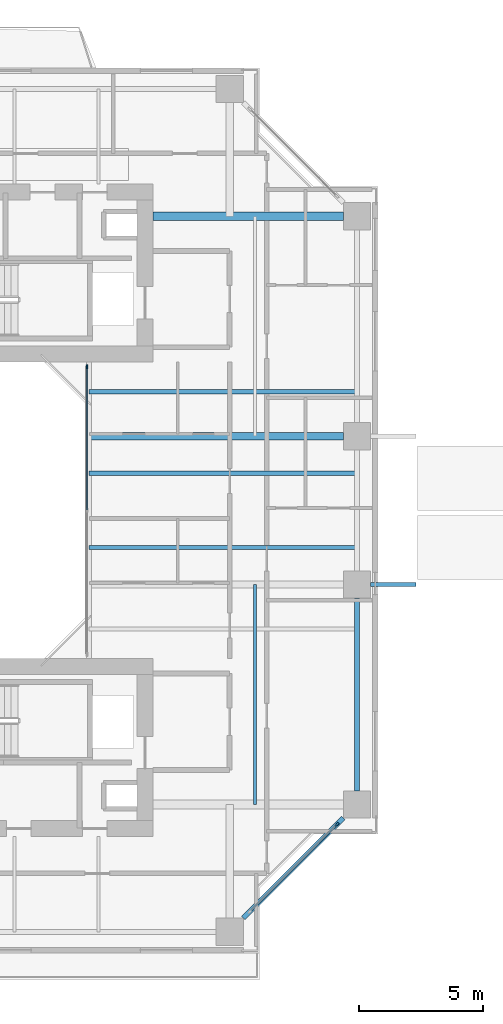
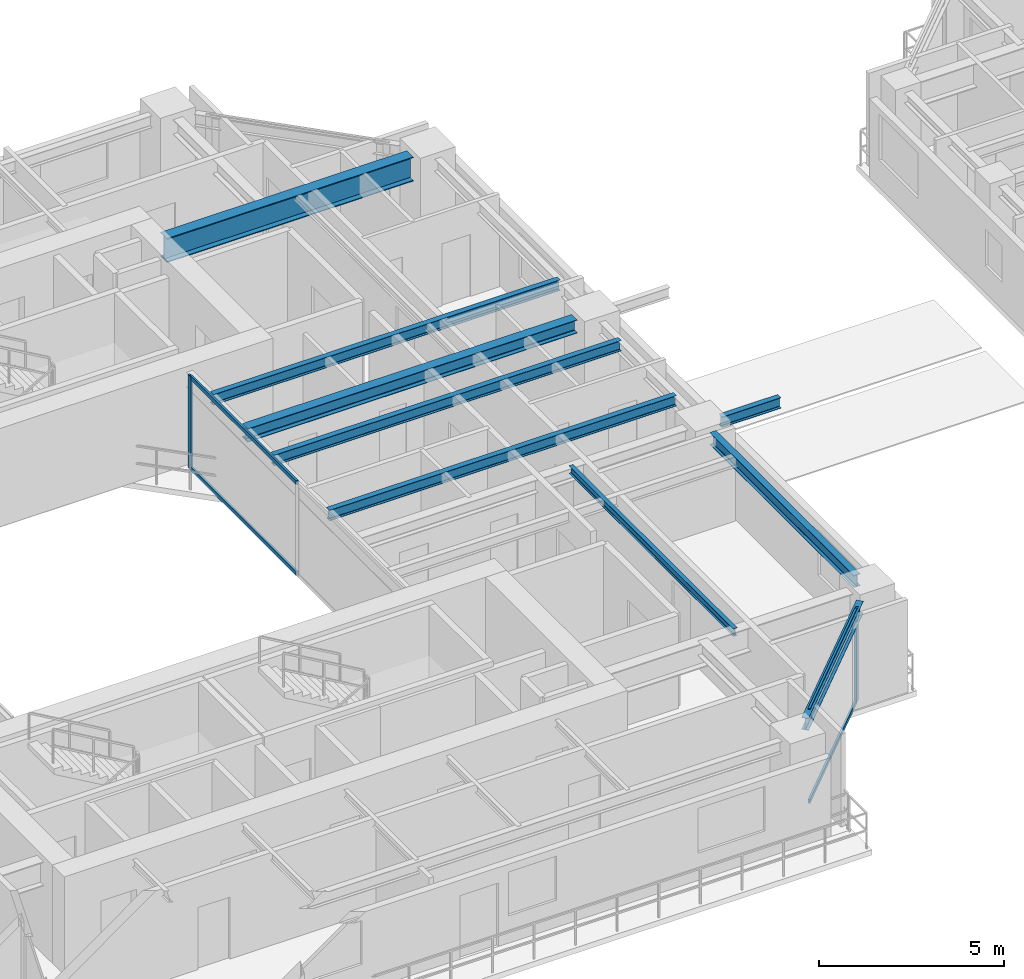
# One storey, part 6 of 23: 9 beams, 6 members, 2 elements without a shape of their own.
"""IFC4 building model written with IfcOpenShell, lengths in metres."""

from ifc_helpers import new_model, si_unit, direction, frame, origin, origin_2d, place, context, subcontext, project, spatial, rectangle, i_section, extrude, source, transform, mapped, material, layer, layer_set, material_profile, profile_set, type_object, element, aggregate, save


model = new_model("IFC4")

# Units and contexts
model_context = context("Model", 3, precision=1e-05, world=origin(), true_north=direction((0.0, 1.0)))
body_context = subcontext(model_context, "Body", "Model", "MODEL_VIEW")
ifc_project = project(units=[si_unit("LENGTHUNIT", "METRE"), si_unit("AREAUNIT", "SQUARE_METRE"), si_unit("VOLUMEUNIT", "CUBIC_METRE"), si_unit("PLANEANGLEUNIT", "RADIAN"), si_unit("MASSUNIT", "GRAM", prefix="KILO"), si_unit("THERMODYNAMICTEMPERATUREUNIT", "KELVIN"), si_unit("POWERUNIT", "WATT")], contexts=[model_context])

# Site, building, storey
site_placement = place(None, origin())
site = spatial("IfcSite", under=ifc_project, at=site_placement, CompositionType="ELEMENT")
building_placement = place(site_placement, origin())
building = spatial("IfcBuilding", under=site, at=building_placement, Name="Qiaomeng Ring Towers", CompositionType="ELEMENT")
storey_placement = place(building_placement, frame((0.0, 0.0, 97.0)))
storey = spatial("IfcBuildingStorey", under=building, at=storey_placement, Name="L27", CompositionType="ELEMENT", Elevation=97.0)

# Beams
ifc_material_1 = material(Name="Steel Q355B", Category="steel")
ifc_material_profile_1 = material_profile(ifc_material_1, i_section(OverallWidth=0.199951171875, OverallDepth=0.39990234375, WebThickness=0.008056640625, FlangeThickness=0.012939453125, FilletRadius=0.01611328125, at=origin_2d()), Name="HN 400x200x8x13")
ifc_profile_set_1 = profile_set([ifc_material_profile_1], Name="Steel Q355B")
beam_type_1 = type_object("IfcBeamType", Name="STR-BM-HN400", PredefinedType="SPANDREL", material=ifc_profile_set_1)
shared_shape_1 = source(origin(), body_context, "Body", "SweptSolid", [
    extrude(i_section(OverallWidth=0.199951171875, OverallDepth=0.39990234375, WebThickness=0.008056640625, FlangeThickness=0.012939453125, FilletRadius=0.01611328125, at=origin_2d()), origin(), (0.0, 0.0, 1.0), 5.729736328125),
])
beam_1_placement = place(storey_placement, frame((31.44921875, 6.499267578125, 2.8701171875), z_axis=(0.707106781187, 0.707106781187, 0.0), x_axis=(-0.707106781187, 0.707106781187, 0.0)))
element("IfcBeam", 1, at=beam_1_placement, inside=storey, type_object=beam_type_1, Name="L27 beam STR-SP-L27-T1-S2-E1", PredefinedType="SPANDREL", context=body_context, shape_type="MappedRepresentation", body=[
    mapped(shared_shape_1, transform((0.0, 0.0, 0.0), x_axis=(1.0, 0.0, 0.0), y_axis=(0.0, 1.0, 0.0), z_axis=(0.0, 0.0, 1.0), scale=1.0)),
])
shared_shape_2 = source(origin(), body_context, "Body", "SweptSolid", [
    extrude(i_section(OverallWidth=0.199951171875, OverallDepth=0.39990234375, WebThickness=0.008056640625, FlangeThickness=0.012939453125, FilletRadius=0.01611328125, at=origin_2d()), origin(), (0.0, 0.0, 1.0), 7.802001953125),
])
beam_2_placement = place(storey_placement, frame((36.050048828125, 11.64892578125, 2.8701171875), z_axis=(0.0, 1.0, 0.0), x_axis=(-1.0, 0.0, 0.0)))
element("IfcBeam", 2, at=beam_2_placement, inside=storey, type_object=beam_type_1, Name="L27 beam STR-SP-L27-T1-E1-E2", PredefinedType="SPANDREL", context=body_context, shape_type="MappedRepresentation", body=[
    mapped(shared_shape_2, transform((0.0, 0.0, 0.0), x_axis=(1.0, 0.0, 0.0), y_axis=(0.0, 1.0, 0.0), z_axis=(0.0, 0.0, 1.0), scale=1.0)),
])
ifc_material_2 = material(Name="Steel Q390GJC", Category="steel")
ifc_material_profile_2 = material_profile(ifc_material_2, i_section(OverallWidth=0.35009765625, OverallDepth=0.800048828125, WebThickness=0.01611328125, FlangeThickness=0.028076171875, at=origin_2d()), Name="WH 800x350x16x28")
ifc_profile_set_2 = profile_set([ifc_material_profile_2], Name="Steel Q390GJC")
beam_type_2 = type_object("IfcBeamType", Name="STR-BM-WH800", PredefinedType="BEAM", material=ifc_profile_set_2)
shared_shape_3 = source(origin(), body_context, "Body", "SweptSolid", [
    extrude(i_section(OverallWidth=0.35009765625, OverallDepth=0.800048828125, WebThickness=0.01611328125, FlangeThickness=0.028076171875, at=origin_2d()), origin(), (0.0, 0.0, 1.0), 7.700927734375),
])
beam_3_placement = place(storey_placement, frame((27.800048828125, 34.89990234375, 2.669921875), z_axis=(1.0, 0.0, 0.0), x_axis=(0.0, 1.0, 0.0)))
element("IfcBeam", 3, at=beam_3_placement, inside=storey, type_object=beam_type_2, Name="L27 beam STR-BM-L27-T1-RAD-E4", PredefinedType="BEAM", context=body_context, shape_type="MappedRepresentation", body=[
    mapped(shared_shape_3, transform((0.0, 0.0, 0.0), x_axis=(1.0, 0.0, 0.0), y_axis=(0.0, 1.0, 0.0), z_axis=(0.0, 0.0, 1.0), scale=1.0)),
])
ifc_material_profile_3 = material_profile(ifc_material_1, i_section(OverallWidth=0.300048828125, OverallDepth=0.43994140625, WebThickness=0.010986328125, FlangeThickness=0.01806640625, FilletRadius=0.02392578125, at=origin_2d()), Name="HM 440x300x11x18")
ifc_profile_set_3 = profile_set([ifc_material_profile_3], Name="Steel Q355B")
beam_type_3 = type_object("IfcBeamType", Name="STR-BM-HM440", PredefinedType="BEAM", material=ifc_profile_set_3)
shared_shape_4 = source(origin(), body_context, "Body", "SweptSolid", [
    extrude(i_section(OverallWidth=0.300048828125, OverallDepth=0.43994140625, WebThickness=0.010986328125, FlangeThickness=0.01806640625, FilletRadius=0.02392578125, at=origin_2d()), origin(), (0.0, 0.0, 1.0), 10.301025390625),
])
beam_4_placement = place(storey_placement, frame((25.199951171875, 26.0, 2.85009765625), z_axis=(1.0, 0.0, 0.0), x_axis=(0.0, 1.0, 0.0)))
element("IfcBeam", 4, at=beam_4_placement, inside=storey, type_object=beam_type_3, Name="L27 beam STR-BM-L27-T1-RAD-E3", PredefinedType="BEAM", context=body_context, shape_type="MappedRepresentation", body=[
    mapped(shared_shape_4, transform((0.0, 0.0, 0.0), x_axis=(1.0, 0.0, 0.0), y_axis=(0.0, 1.0, 0.0), z_axis=(0.0, 0.0, 1.0), scale=1.0)),
])
ifc_material_profile_4 = material_profile(ifc_material_1, i_section(OverallWidth=0.175048828125, OverallDepth=0.35009765625, WebThickness=0.007080078125, FlangeThickness=0.010986328125, FilletRadius=0.013916015625, at=origin_2d()), Name="HN 350x175x7x11")
ifc_profile_set_4 = profile_set([ifc_material_profile_4], Name="Steel Q355B")
beam_type_4 = type_object("IfcBeamType", Name="STR-BM-HN350", PredefinedType="JOIST", material=ifc_profile_set_4)
shared_shape_5 = source(origin(), body_context, "Body", "SweptSolid", [
    extrude(i_section(OverallWidth=0.175048828125, OverallDepth=0.35009765625, WebThickness=0.007080078125, FlangeThickness=0.010986328125, FilletRadius=0.013916015625, at=origin_2d()), origin(), (0.0, 0.0, 1.0), 10.85009765625),
])
for number, where, z_axis, x_axis, name in (
    (5, (25.199951171875, 21.5, 2.89501953125), (1.0, 0.0, 0.0), (0.0, 1.0, 0.0), "L27 beam STR-JST-L27-T1E-2"),
    (6, (25.199951171875, 24.5, 2.89501953125), (1.0, 0.0, 0.0), (0.0, 1.0, 0.0), "L27 beam STR-JST-L27-T1E-3"),
    (7, (25.199951171875, 27.800048828125, 2.89501953125), (1.0, 0.0, 0.0), (0.0, 1.0, 0.0), "L27 beam STR-JST-L27-T1E-4"),
):
    element("IfcBeam", number, at=place(storey_placement, frame(where, z_axis=z_axis, x_axis=x_axis)), inside=storey, type_object=beam_type_4, Name=name, PredefinedType="JOIST", context=body_context, shape_type="MappedRepresentation", body=[
        mapped(shared_shape_5, transform((0.0, 0.0, 0.0), x_axis=(1.0, 0.0, 0.0), y_axis=(0.0, 1.0, 0.0), z_axis=(0.0, 0.0, 1.0), scale=1.0)),
    ])
ifc_material_profile_5 = material_profile(ifc_material_1, i_section(OverallWidth=0.125, OverallDepth=0.25, WebThickness=0.006103515625, FlangeThickness=0.009033203125, FilletRadius=0.011962890625, at=origin_2d()), Name="HN 250x125x6x9")
ifc_profile_set_5 = profile_set([ifc_material_profile_5], Name="Steel Q355B")
beam_type_5 = type_object("IfcBeamType", Name="STR-BM-HN250", PredefinedType="JOIST", material=ifc_profile_set_5)
shared_shape_6 = source(origin(), body_context, "Body", "SweptSolid", [
    extrude(i_section(OverallWidth=0.125, OverallDepth=0.25, WebThickness=0.006103515625, FlangeThickness=0.009033203125, FilletRadius=0.011962890625, at=origin_2d()), origin(), (0.0, 0.0, 1.0), 8.89990234375),
])
beam_5_placement = place(storey_placement, frame((31.925048828125, 11.10009765625, 2.945068359375), z_axis=(0.0, 1.0, 0.0), x_axis=(-1.0, 0.0, 0.0)))
element("IfcBeam", 8, at=beam_5_placement, inside=storey, type_object=beam_type_5, Name="L27 beam STR-JST-L27-T1C-ES", PredefinedType="JOIST", context=body_context, shape_type="MappedRepresentation", body=[
    mapped(shared_shape_6, transform((0.0, 0.0, 0.0), x_axis=(1.0, 0.0, 0.0), y_axis=(0.0, 1.0, 0.0), z_axis=(0.0, 0.0, 1.0), scale=1.0)),
])
shared_shape_7 = source(origin(), body_context, "Body", "SweptSolid", [
    extrude(i_section(OverallWidth=0.175048828125, OverallDepth=0.35009765625, WebThickness=0.007080078125, FlangeThickness=0.010986328125, FilletRadius=0.013916015625, at=origin_2d()), origin(), (0.0, 0.0, 1.0), 1.8408203125),
])
beam_6_placement = place(storey_placement, frame((36.59912109375, 20.0, 2.89501953125), z_axis=(1.0, 0.0, 0.0), x_axis=(0.0, 1.0, 0.0)))
element("IfcBeam", 9, at=beam_6_placement, inside=storey, type_object=beam_type_4, Name="L27 beam STR-BALBM-L27-E2", PredefinedType="JOIST", context=body_context, shape_type="MappedRepresentation", body=[
    mapped(shared_shape_7, transform((0.0, 0.0, 0.0), x_axis=(1.0, 0.0, 0.0), y_axis=(0.0, 1.0, 0.0), z_axis=(0.0, 0.0, 1.0), scale=1.0)),
])

# Curtain wall, members
ifc_material_3 = material(Name="Fluorocarbon dark-grey aluminium", Category="aluminium")
ifc_layer_1 = layer(ifc_material_3, 0.139892578125, Name="Fluorocarbon dark-grey aluminium")
ifc_layer_set_1 = layer_set([ifc_layer_1], Name="Fluorocarbon dark-grey aluminium")
curtain_wall_type_1 = type_object("IfcCurtainWallType", Name="ARC-CW-4", PredefinedType="NOTDEFINED", material=ifc_layer_set_1)
curtain_wall_1_placement = place(storey_placement, origin())
curtain_wall_1 = element("IfcCurtainWall", 10, at=curtain_wall_1_placement, inside=storey, type_object=curtain_wall_type_1, Name="L27 Curtain Wall CW4", PredefinedType="NOTDEFINED")
ifc_material_profile_6 = material_profile(ifc_material_3, rectangle(XDim=0.06494140625, YDim=0.159912109375, at=origin_2d()), Name="ALU MULL 65x160")
ifc_profile_set_6 = profile_set([ifc_material_profile_6], Name="Fluorocarbon dark-grey aluminium")
member_type_1 = type_object("IfcMemberType", Name="ARC-CWM-140", PredefinedType="MULLION", material=ifc_profile_set_6)
shared_shape_8 = source(origin(), body_context, "Body", "SweptSolid", [
    extrude(rectangle(XDim=0.06494140625, YDim=0.159912109375, at=origin_2d()), origin(), (0.0, 0.0, 1.0), 3.070068359375),
])
member_1_placement = place(storey_placement, frame((25.1201171875, 28.8173828125, 0.0), z_axis=(0.0, 0.0, 1.0), x_axis=(-1.0, 0.0, 0.0)))
member_1 = element("IfcMember", 11, at=member_1_placement, type_object=member_type_1, Name="CW4 mullion 3", PredefinedType="MULLION", context=body_context, shape_type="MappedRepresentation", body=[
    mapped(shared_shape_8, transform((0.0, 0.0, 0.0), x_axis=(1.0, 0.0, 0.0), y_axis=(0.0, 1.0, 0.0), z_axis=(0.0, 0.0, 1.0), scale=1.0)),
])
ifc_material_profile_7 = material_profile(ifc_material_3, rectangle(XDim=0.06494140625, YDim=0.1298828125, at=origin_2d()), Name="ALU TRAN 65x130")
ifc_profile_set_7 = profile_set([ifc_material_profile_7], Name="Fluorocarbon dark-grey aluminium")
member_type_2 = type_object("IfcMemberType", Name="ARC-CWT-120", PredefinedType="USERDEFINED", material=ifc_profile_set_7)
shared_shape_9 = source(origin(), body_context, "Body", "SweptSolid", [
    extrude(rectangle(XDim=0.06494140625, YDim=0.1298828125, at=origin_2d()), origin(), (0.0, 0.0, 1.0), 5.75244140625),
])
member_2_placement = place(storey_placement, frame((25.1201171875, 23.032470703125, 0.032470703125), z_axis=(0.0, 1.0, 0.0), x_axis=(-1.0, 0.0, 0.0)))
member_2 = element("IfcMember", 12, at=member_2_placement, type_object=member_type_2, Name="CW4 transom 2.1", ObjectType="TRANSOM", PredefinedType="USERDEFINED", context=body_context, shape_type="MappedRepresentation", body=[
    mapped(shared_shape_9, transform((0.0, 0.0, 0.0), x_axis=(1.0, 0.0, 0.0), y_axis=(0.0, 1.0, 0.0), z_axis=(0.0, 0.0, 1.0), scale=1.0)),
])
member_3_placement = place(storey_placement, frame((25.1201171875, 23.032470703125, 3.03759765625), z_axis=(0.0, 1.0, 0.0), x_axis=(-1.0, 0.0, 0.0)))
member_3 = element("IfcMember", 13, at=member_3_placement, type_object=member_type_2, Name="CW4 transom 2.2", ObjectType="TRANSOM", PredefinedType="USERDEFINED", context=body_context, shape_type="MappedRepresentation", body=[
    mapped(shared_shape_9, transform((0.0, 0.0, 0.0), x_axis=(1.0, 0.0, 0.0), y_axis=(0.0, 1.0, 0.0), z_axis=(0.0, 0.0, 1.0), scale=1.0)),
])
aggregate(curtain_wall_1, [member_1, member_2, member_3])

ifc_layer_2 = layer(ifc_material_3, 0.14990234375, Name="Fluorocarbon dark-grey aluminium")
ifc_layer_set_2 = layer_set([ifc_layer_2], Name="Fluorocarbon dark-grey aluminium")
curtain_wall_type_2 = type_object("IfcCurtainWallType", Name="ARC-CW-3", PredefinedType="NOTDEFINED", material=ifc_layer_set_2)
curtain_wall_2_placement = place(storey_placement, origin())
curtain_wall_2 = element("IfcCurtainWall", 14, at=curtain_wall_2_placement, inside=storey, type_object=curtain_wall_type_2, Name="L27 Curtain Wall CW3", PredefinedType="NOTDEFINED")
ifc_material_profile_8 = material_profile(ifc_material_3, rectangle(XDim=0.070068359375, YDim=0.179931640625, at=origin_2d()), Name="ALU MULL 70x180")
ifc_profile_set_8 = profile_set([ifc_material_profile_8], Name="Fluorocarbon dark-grey aluminium")
member_type_3 = type_object("IfcMemberType", Name="ARC-CWM-160", PredefinedType="MULLION", material=ifc_profile_set_8)
shared_shape_10 = source(origin(), body_context, "Body", "SweptSolid", [
    extrude(rectangle(XDim=0.070068359375, YDim=0.179931640625, at=origin_2d()), origin(), (0.0, 0.0, 1.0), 3.070068359375),
])
member_4_placement = place(storey_placement, frame((35.2353515625, 10.28515625, 0.0), z_axis=(0.0, 0.0, 1.0), x_axis=(-0.707106781187, 0.707106781187, 0.0)))
member_4 = element("IfcMember", 15, at=member_4_placement, type_object=member_type_3, Name="CW3 mullion 2", PredefinedType="MULLION", context=body_context, shape_type="MappedRepresentation", body=[
    mapped(shared_shape_10, transform((0.0, 0.0, 0.0), x_axis=(1.0, 0.0, 0.0), y_axis=(0.0, 1.0, 0.0), z_axis=(0.0, 0.0, 1.0), scale=1.0)),
])
shared_shape_11 = source(origin(), body_context, "Body", "SweptSolid", [
    extrude(rectangle(XDim=0.06494140625, YDim=0.1298828125, at=origin_2d()), origin(), (0.0, 0.0, 1.0), 4.90869140625),
])
member_5_placement = place(storey_placement, frame((31.739501953125, 6.78955078125, 0.032470703125), z_axis=(0.707106781187, 0.707106781187, 0.0), x_axis=(-0.707106781187, 0.707106781187, 0.0)))
member_5 = element("IfcMember", 16, at=member_5_placement, type_object=member_type_2, Name="CW3 transom 1.1", ObjectType="TRANSOM", PredefinedType="USERDEFINED", context=body_context, shape_type="MappedRepresentation", body=[
    mapped(shared_shape_11, transform((0.0, 0.0, 0.0), x_axis=(1.0, 0.0, 0.0), y_axis=(0.0, 1.0, 0.0), z_axis=(0.0, 0.0, 1.0), scale=1.0)),
])
member_6_placement = place(storey_placement, frame((31.739501953125, 6.78955078125, 3.03759765625), z_axis=(0.707106781187, 0.707106781187, 0.0), x_axis=(-0.707106781187, 0.707106781187, 0.0)))
member_6 = element("IfcMember", 17, at=member_6_placement, type_object=member_type_2, Name="CW3 transom 1.2", ObjectType="TRANSOM", PredefinedType="USERDEFINED", context=body_context, shape_type="MappedRepresentation", body=[
    mapped(shared_shape_11, transform((0.0, 0.0, 0.0), x_axis=(1.0, 0.0, 0.0), y_axis=(0.0, 1.0, 0.0), z_axis=(0.0, 0.0, 1.0), scale=1.0)),
])
aggregate(curtain_wall_2, [member_4, member_5, member_6])

save(model, "model.ifc")
